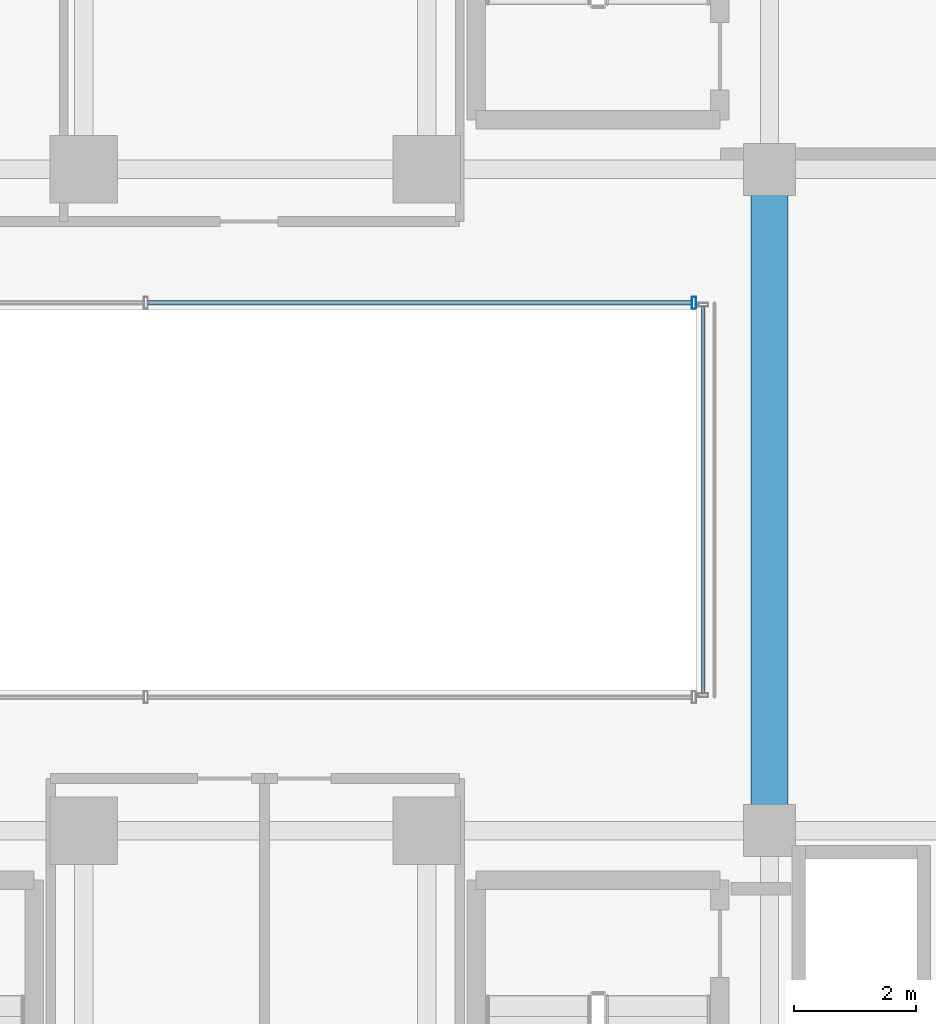
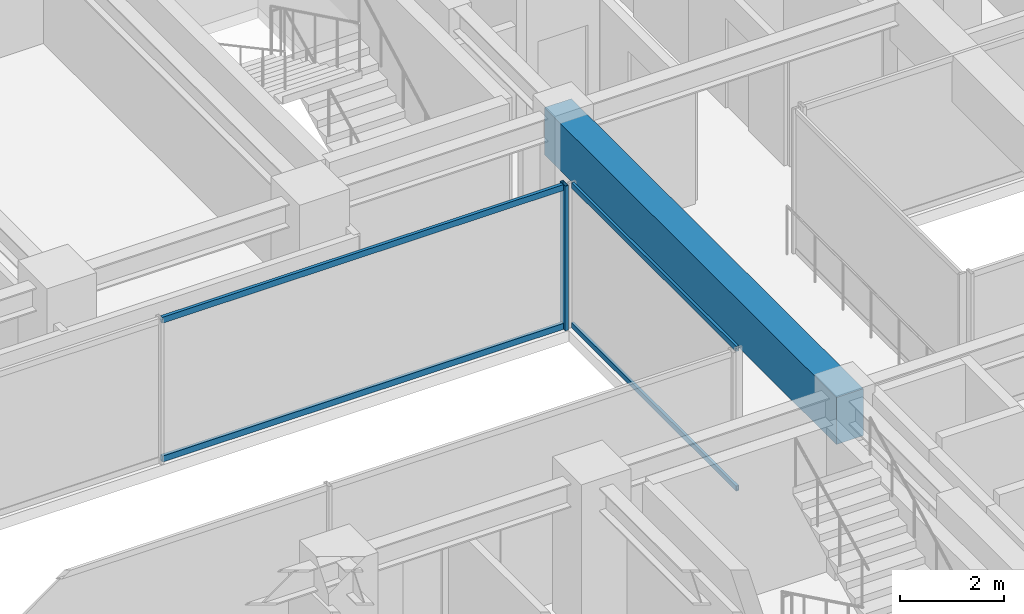
# One storey, part 11 of 38: 5 members, 1 beam, 2 elements without a shape of their own.
"""IFC4 building model written with IfcOpenShell, lengths in metres."""

import ifcopenshell
import ifcopenshell.guid

model = None  # the IFC model being written
_history = None  # IfcOwnerHistory: only IFC2X3 demands one
_inside = {}  # id of a spatial element -> (the spatial element, [elements in it])
_under = {}  # id of a project, library or spatial element -> (it, [spatial elements below it])
_declared = {}  # id of a project -> (the project, [libraries it declares])
_typed = {}  # id of a type object -> (the type object, [elements of that type])
_made_of = {}  # id of a material, layer set ... -> (it, [elements and type objects made of it])


def new_model(schema):
    """Start an empty IFC model of exactly this schema.

    Asked for "IFC4X3", IfcOpenShell would pick the latest addendum, in which some entities
    have other attributes; the version numbers below select the first issue.
    IFC2X3 requires an IfcOwnerHistory on every rooted entity: one is made here for all.
    """
    global model, _history
    if schema == "IFC4X3":
        model = ifcopenshell.file(schema_version=(4, 3, 0, 0))
    else:
        model = ifcopenshell.file(schema=schema)
    _inside.clear()
    _under.clear()
    _declared.clear()
    _typed.clear()
    _made_of.clear()
    _history = None
    if model.schema == "IFC2X3":
        org = make("IfcOrganization", Name="unknown")
        user = make(
            "IfcPersonAndOrganization",
            ThePerson=make("IfcPerson", FamilyName="unknown"),
            TheOrganization=org,
        )
        app = make(
            "IfcApplication",
            ApplicationDeveloper=org,
            Version="unknown",
            ApplicationFullName="unknown",
            ApplicationIdentifier="unknown",
        )
        _history = make(
            "IfcOwnerHistory",
            OwningUser=user,
            OwningApplication=app,
            ChangeAction="ADDED",
            CreationDate=0,
        )
    return model


def make(cls, **values):
    """One entity of the class cls with the attributes given. An attribute that is None is left unset."""
    return model.create_entity(
        cls, **{name: value for name, value in values.items() if value is not None}
    )


def rooted(cls, **values):
    """An entity with a GlobalId (a new one), such as an element, a storey or a relation."""
    return make(cls, GlobalId=ifcopenshell.guid.new(), OwnerHistory=_history, **values)


def si_unit(unit_type, name, prefix=None):
    """IfcSIUnit, for example si_unit("LENGTHUNIT", "METRE", prefix="MILLI")."""
    return make("IfcSIUnit", UnitType=unit_type, Prefix=prefix, Name=name)


def assignment(units):
    """IfcUnitAssignment: the units of a project."""
    return None if units is None else make("IfcUnitAssignment", Units=units)


def point(xyz):
    """IfcCartesianPoint."""
    return None if xyz is None else make("IfcCartesianPoint", Coordinates=xyz)


def direction(xyz):
    """IfcDirection."""
    return None if xyz is None else make("IfcDirection", DirectionRatios=xyz)


def frame(location, z_axis=None, x_axis=None):
    """IfcAxis2Placement3D, a coordinate frame: its origin and axes. An axis left out is left unset."""
    return make(
        "IfcAxis2Placement3D",
        Location=point(location),
        Axis=direction(z_axis),
        RefDirection=direction(x_axis),
    )


def frame_2d(location, x_axis=None):
    """IfcAxis2Placement2D, a coordinate frame in the plane: its origin and x axis."""
    return make(
        "IfcAxis2Placement2D", Location=point(location), RefDirection=direction(x_axis)
    )


def origin():
    """The frame at (0, 0, 0) with its axes left unset."""
    return frame((0.0, 0.0, 0.0))


def origin_2d():
    """The frame at (0, 0) in the plane with its x axis left unset."""
    return frame_2d((0.0, 0.0))


def place(relative_to, where):
    """IfcLocalPlacement: puts the frame where relative to a parent placement (None: the world)."""
    return make(
        "IfcLocalPlacement", PlacementRelTo=relative_to, RelativePlacement=where
    )


def context(
    kind, dimensions, precision=None, world=None, true_north=None, identifier=None
):
    """IfcGeometricRepresentationContext, for example the 3D "Model" context."""
    return make(
        "IfcGeometricRepresentationContext",
        ContextIdentifier=identifier,
        ContextType=kind,
        CoordinateSpaceDimension=dimensions,
        Precision=precision,
        WorldCoordinateSystem=world,
        TrueNorth=true_north,
    )


def subcontext(parent, identifier, kind, view, scale=None):
    """IfcGeometricRepresentationSubContext, for example "Body" below "Model"."""
    return make(
        "IfcGeometricRepresentationSubContext",
        ContextIdentifier=identifier,
        ContextType=kind,
        ParentContext=parent,
        TargetScale=scale,
        TargetView=view,
    )


def project(units=None, contexts=None):
    """IfcProject with its units and contexts."""
    return rooted(
        "IfcProject",
        Name="project",
        RepresentationContexts=contexts,
        UnitsInContext=assignment(units),
    )


def spatial(cls, under=None, at=None, **own):
    """A site, building, storey or space (cls), placed at a placement, below another one or the project."""
    s = rooted(cls, ObjectPlacement=at, **own)
    if under is not None:
        _under.setdefault(under.id(), (under, []))[1].append(s)
    return s


def profile(cls, at=None, kind="AREA", **sizes):
    """A parametric profile (cls). Its sizes go by their IFC names, for example OverallWidth=200.0."""
    return make(cls, ProfileType=kind, Position=at, **sizes)


def rectangle(**sizes):
    """IfcRectangleProfileDef."""
    return profile("IfcRectangleProfileDef", **sizes)


def hollow_rectangle(**sizes):
    """IfcRectangleHollowProfileDef."""
    return profile("IfcRectangleHollowProfileDef", **sizes)


def extrude(swept, where, along, depth):
    """IfcExtrudedAreaSolid: the profile swept, set in the frame where, extruded along a direction by depth."""
    return make(
        "IfcExtrudedAreaSolid",
        SweptArea=swept,
        Position=where,
        ExtrudedDirection=direction(along),
        Depth=depth,
    )


def shape(context_of_items, identifier, shape_type, items):
    """IfcShapeRepresentation: the items that make up one representation, for example the "Body"."""
    return make(
        "IfcShapeRepresentation",
        ContextOfItems=context_of_items,
        RepresentationIdentifier=identifier,
        RepresentationType=shape_type,
        Items=items,
    )


def source(mapping_origin, context_of_items, identifier, shape_type, items):
    """IfcRepresentationMap: a shape defined once, which mapped items show again and again."""
    return make(
        "IfcRepresentationMap",
        MappingOrigin=mapping_origin,
        MappedRepresentation=shape(context_of_items, identifier, shape_type, items),
    )


def transform(
    local_origin,
    x_axis=None,
    y_axis=None,
    z_axis=None,
    scale=None,
    scale2=None,
    scale3=None,
    uniform=True,
):
    """IfcCartesianTransformationOperator3D, or its non-uniform kind. x_axis, y_axis, z_axis: its Axis1, 2, 3."""
    if uniform:
        return make(
            "IfcCartesianTransformationOperator3D",
            Axis1=direction(x_axis),
            Axis2=direction(y_axis),
            LocalOrigin=point(local_origin),
            Scale=scale,
            Axis3=direction(z_axis),
        )
    return make(
        "IfcCartesianTransformationOperator3DnonUniform",
        Axis1=direction(x_axis),
        Axis2=direction(y_axis),
        LocalOrigin=point(local_origin),
        Scale=scale,
        Axis3=direction(z_axis),
        Scale2=scale2,
        Scale3=scale3,
    )


def mapped(mapping_source, mapping_target):
    """IfcMappedItem: shows the shape of a source again, moved by a transform."""
    return make(
        "IfcMappedItem", MappingSource=mapping_source, MappingTarget=mapping_target
    )


def material(Name=None, Category=None):
    """IfcMaterial."""
    return make("IfcMaterial", Name=Name, Category=Category)


def material_profile(
    of_material, cross_section, Name=None, Category=None, Priority=None
):
    """IfcMaterialProfile: a cross section and its material."""
    return make(
        "IfcMaterialProfile",
        Name=Name,
        Material=of_material,
        Profile=cross_section,
        Priority=Priority,
        Category=Category,
    )


def profile_set(profiles, Name=None, composite=None):
    """IfcMaterialProfileSet."""
    return make(
        "IfcMaterialProfileSet",
        Name=Name,
        MaterialProfiles=profiles,
        CompositeProfile=composite,
    )


def made_of(thing, what):
    """Note that an element or type object is made of a material, layer set ...; save() writes the relation."""
    if what is not None:
        _made_of.setdefault(what.id(), (what, []))[1].append(thing)
    return thing


def type_object(cls, material=None, **own):
    """A type object (cls), such as IfcWallType, which elements share."""
    return made_of(rooted(cls, **own), material)


def element(
    cls,
    number,
    at=None,
    inside=None,
    cuts=None,
    type_object=None,
    material=None,
    context=None,
    identifier="Body",
    shape_type=None,
    held_by="IfcProductDefinitionShape",
    body=None,
    shapes=None,
    **own,
):
    """One element of the class cls, such as IfcWall. Its Tag is "e" and its number.

    at: its placement. inside: the storey or other place that contains it. cuts: it is an
    opening in that element (IfcRelVoidsElement). A single representation is given by context,
    identifier, shape_type and body (its items); several are given by shapes. held_by: the class
    of the entity that holds the representations. save() writes the other relations.
    """
    e = rooted(cls, Tag="e%d" % number, ObjectPlacement=at, **own)
    if body is not None:
        shapes = [shape(context, identifier, shape_type, body)]
    if shapes is not None:
        e.Representation = make(held_by, Representations=shapes)
    if inside is not None:
        _inside.setdefault(inside.id(), (inside, []))[1].append(e)
    if cuts is not None:
        rooted(
            "IfcRelVoidsElement", RelatingBuildingElement=cuts, RelatedOpeningElement=e
        )
    if type_object is not None:
        _typed.setdefault(type_object.id(), (type_object, []))[1].append(e)
    return made_of(e, material)


def aggregate(whole, parts):
    """IfcRelAggregates: a whole, such as a stair, and the parts it consists of."""
    return rooted("IfcRelAggregates", RelatingObject=whole, RelatedObjects=parts)


def save(model, path):
    """Write the relations noted so far, then the file.

    IfcRelAggregates (storeys below a building ...), IfcRelContainedInSpatialStructure (elements
    in a storey), IfcRelDefinesByType, IfcRelAssociatesMaterial and IfcRelDeclares: one each for
    every whole, place, type object, material and project.
    """
    for whole, parts in _under.values():
        aggregate(whole, parts)
    for where, things in _inside.values():
        rooted(
            "IfcRelContainedInSpatialStructure",
            RelatedElements=things,
            RelatingStructure=where,
        )
    for kind, things in _typed.values():
        rooted("IfcRelDefinesByType", RelatedObjects=things, RelatingType=kind)
    for what, things in _made_of.values():
        rooted("IfcRelAssociatesMaterial", RelatedObjects=things, RelatingMaterial=what)
    for by, libraries in _declared.values():
        rooted("IfcRelDeclares", RelatingContext=by, RelatedDefinitions=libraries)
    model.write(path)


model = new_model("IFC4")

# Units and contexts
model_context = context("Model", 3, precision=1e-05, world=origin(), true_north=direction((0.0, 1.0)))
body_context = subcontext(model_context, "Body", "Model", "MODEL_VIEW")
ifc_project = project(units=[si_unit("LENGTHUNIT", "METRE"), si_unit("AREAUNIT", "SQUARE_METRE"), si_unit("VOLUMEUNIT", "CUBIC_METRE"), si_unit("PLANEANGLEUNIT", "RADIAN"), si_unit("MASSUNIT", "GRAM", prefix="KILO")], contexts=[model_context])

# Site, building, storey
site_placement = place(None, origin())
site = spatial("IfcSite", under=ifc_project, at=site_placement, CompositionType="ELEMENT")
building_placement = place(site_placement, origin())
building = spatial("IfcBuilding", under=site, at=building_placement, Name="Nahalor Promenade Grand Hotel", CompositionType="ELEMENT")
storey_placement = place(building_placement, frame((0.0, 0.0, 178.199951171875)))
storey = spatial("IfcBuildingStorey", under=building, at=storey_placement, Name="L45", CompositionType="ELEMENT", Elevation=178.199951171875)

# Beam
ifc_material_1 = material(Name="Concrete B-60 (C50/60)", Category="concrete")
ifc_material_profile_1 = material_profile(ifc_material_1, rectangle(XDim=0.6, YDim=1.1, at=origin_2d()), Name="RC 600x1100")
ifc_profile_set_1 = profile_set([ifc_material_profile_1], Name="Concrete B-60 (C50/60)")
beam_type = type_object("IfcBeamType", Name="Beam-Lintel-RC1100", PredefinedType="LINTEL", material=ifc_profile_set_1)
shared_shape_1 = source(origin(), body_context, "Body", "SweptSolid", [
    extrude(rectangle(XDim=0.6, YDim=1.1, at=origin_2d()), origin(), (0.0, 0.0, 1.0), 11.2001953125),
])
beam_placement = place(storey_placement, frame((8.39990234375, -5.60009765625, 2.840087890625), z_axis=(0.0, 1.0, 0.0), x_axis=(-1.0, 0.0, 0.0)))
element("IfcBeam", 1, at=beam_placement, inside=storey, type_object=beam_type, Name="BM-L45-LINT-W", PredefinedType="LINTEL", context=body_context, shape_type="MappedRepresentation", body=[
    mapped(shared_shape_1, transform((0.0, 0.0, 0.0), scale=1.0)),
])

# Curtain wall, members
ifc_material_2 = material(Name="Anodised Bronze Aluminium EN AW-6063 T6", Category="aluminium")
curtain_wall_type_1 = type_object("IfcCurtainWallType", Name="CW4 Low-Iron Sky-Gallery Bridge Curtain Wall", PredefinedType="USERDEFINED", material=ifc_material_2)
curtain_wall_1_placement = place(storey_placement, origin())
curtain_wall_1 = element("IfcCurtainWall", 2, at=curtain_wall_1_placement, inside=storey, type_object=curtain_wall_type_1, Name="L45 Curtain Wall CW-L45-BRG-W", ObjectType="UNITISED_CURTAIN_WALL", PredefinedType="USERDEFINED")
ifc_material_profile_2 = material_profile(ifc_material_2, hollow_rectangle(XDim=0.06, YDim=0.12, WallThickness=0.004, at=origin_2d()), Name="CWT 60x120x4")
ifc_profile_set_2 = profile_set([ifc_material_profile_2], Name="Anodised Bronze Aluminium EN AW-6063 T6")
member_type_1 = type_object("IfcMemberType", Name="CWT4 Sky-Gallery Slim Transom 60x120", PredefinedType="USERDEFINED", material=ifc_profile_set_2)
shared_shape_2 = source(origin(), body_context, "Body", "SweptSolid", [
    extrude(hollow_rectangle(XDim=0.06, YDim=0.12, WallThickness=0.004, at=origin_2d()), origin(), (0.0, 0.0, 1.0), 6.31982421875),
])
member_1_placement = place(storey_placement, frame((7.320068359375, -3.159912109375, 0.06005859375), z_axis=(0.0, 1.0, 0.0), x_axis=(-1.0, 0.0, 0.0)))
member_1 = element("IfcMember", 3, at=member_1_placement, type_object=member_type_1, Name="CW-L45-BRG-W Transom 0-0", ObjectType="TRANSOM", PredefinedType="USERDEFINED", context=body_context, shape_type="MappedRepresentation", body=[
    mapped(shared_shape_2, transform((0.0, 0.0, 0.0), scale=1.0)),
])
member_2_placement = place(storey_placement, frame((7.320068359375, -3.159912109375, 3.330078125), z_axis=(0.0, 1.0, 0.0), x_axis=(-1.0, 0.0, 0.0)))
member_2 = element("IfcMember", 4, at=member_2_placement, type_object=member_type_1, Name="CW-L45-BRG-W Transom 0-1", ObjectType="TRANSOM", PredefinedType="USERDEFINED", context=body_context, shape_type="MappedRepresentation", body=[
    mapped(shared_shape_2, transform((0.0, 0.0, 0.0), scale=1.0)),
])
aggregate(curtain_wall_1, [member_1, member_2])

curtain_wall_type_2 = type_object("IfcCurtainWallType", Name="CW3 Elliptical-Void Collar Unitised Curtain Wall", PredefinedType="USERDEFINED", material=ifc_material_2)
curtain_wall_2_placement = place(storey_placement, origin())
curtain_wall_2 = element("IfcCurtainWall", 5, at=curtain_wall_2_placement, inside=storey, type_object=curtain_wall_type_2, Name="L45 Curtain Wall CW-L45-VOID-WN1", ObjectType="UNITISED_CURTAIN_WALL", PredefinedType="USERDEFINED")
ifc_material_profile_3 = material_profile(ifc_material_2, hollow_rectangle(XDim=0.07, YDim=0.2, WallThickness=0.005, at=origin_2d()), Name="CWM 70x200x5")
ifc_profile_set_3 = profile_set([ifc_material_profile_3], Name="Anodised Bronze Aluminium EN AW-6063 T6")
member_type_2 = type_object("IfcMemberType", Name="CWM3 Void Collar Mullion 70x200", PredefinedType="MULLION", material=ifc_profile_set_3)
shared_shape_3 = source(origin(), body_context, "Body", "SweptSolid", [
    extrude(hollow_rectangle(XDim=0.07, YDim=0.2, WallThickness=0.005, at=origin_2d()), origin(), (0.0, 0.0, 1.0), 3.39013671875),
])
member_3_placement = place(storey_placement, frame((7.1650390625, 3.219970703125, 0.0), z_axis=(0.0, 0.0, 1.0), x_axis=(1.0, 0.0, 0.0)))
member_3 = element("IfcMember", 6, at=member_3_placement, type_object=member_type_2, Name="CW-L45-VOID-WN1 Mullion 3", PredefinedType="MULLION", context=body_context, shape_type="MappedRepresentation", body=[
    mapped(shared_shape_3, transform((0.0, 0.0, 0.0), scale=1.0)),
])
ifc_material_profile_4 = material_profile(ifc_material_2, hollow_rectangle(XDim=0.07, YDim=0.14, WallThickness=0.004, at=origin_2d()), Name="CWT 70x140x4")
ifc_profile_set_4 = profile_set([ifc_material_profile_4], Name="Anodised Bronze Aluminium EN AW-6063 T6")
member_type_3 = type_object("IfcMemberType", Name="CWT3 Void Collar Transom 70x140", PredefinedType="USERDEFINED", material=ifc_profile_set_4)
shared_shape_4 = source(origin(), body_context, "Body", "SweptSolid", [
    extrude(hollow_rectangle(XDim=0.07, YDim=0.14, WallThickness=0.004, at=origin_2d()), origin(), (0.0, 0.0, 1.0), 8.881591796875),
])
member_4_placement = place(storey_placement, frame((-1.751708984375, 3.219970703125, 0.070068359375), z_axis=(1.0, 0.0, 0.0), x_axis=(0.0, 1.0, 0.0)))
member_4 = element("IfcMember", 7, at=member_4_placement, type_object=member_type_3, Name="CW-L45-VOID-WN1 Transom 2-0", ObjectType="TRANSOM", PredefinedType="USERDEFINED", context=body_context, shape_type="MappedRepresentation", body=[
    mapped(shared_shape_4, transform((0.0, 0.0, 0.0), scale=1.0)),
])
member_5_placement = place(storey_placement, frame((-1.751708984375, 3.219970703125, 3.320068359375), z_axis=(1.0, 0.0, 0.0), x_axis=(0.0, 1.0, 0.0)))
member_5 = element("IfcMember", 8, at=member_5_placement, type_object=member_type_3, Name="CW-L45-VOID-WN1 Transom 2-1", ObjectType="TRANSOM", PredefinedType="USERDEFINED", context=body_context, shape_type="MappedRepresentation", body=[
    mapped(shared_shape_4, transform((0.0, 0.0, 0.0), scale=1.0)),
])
aggregate(curtain_wall_2, [member_3, member_4, member_5])

save(model, "model.ifc")
